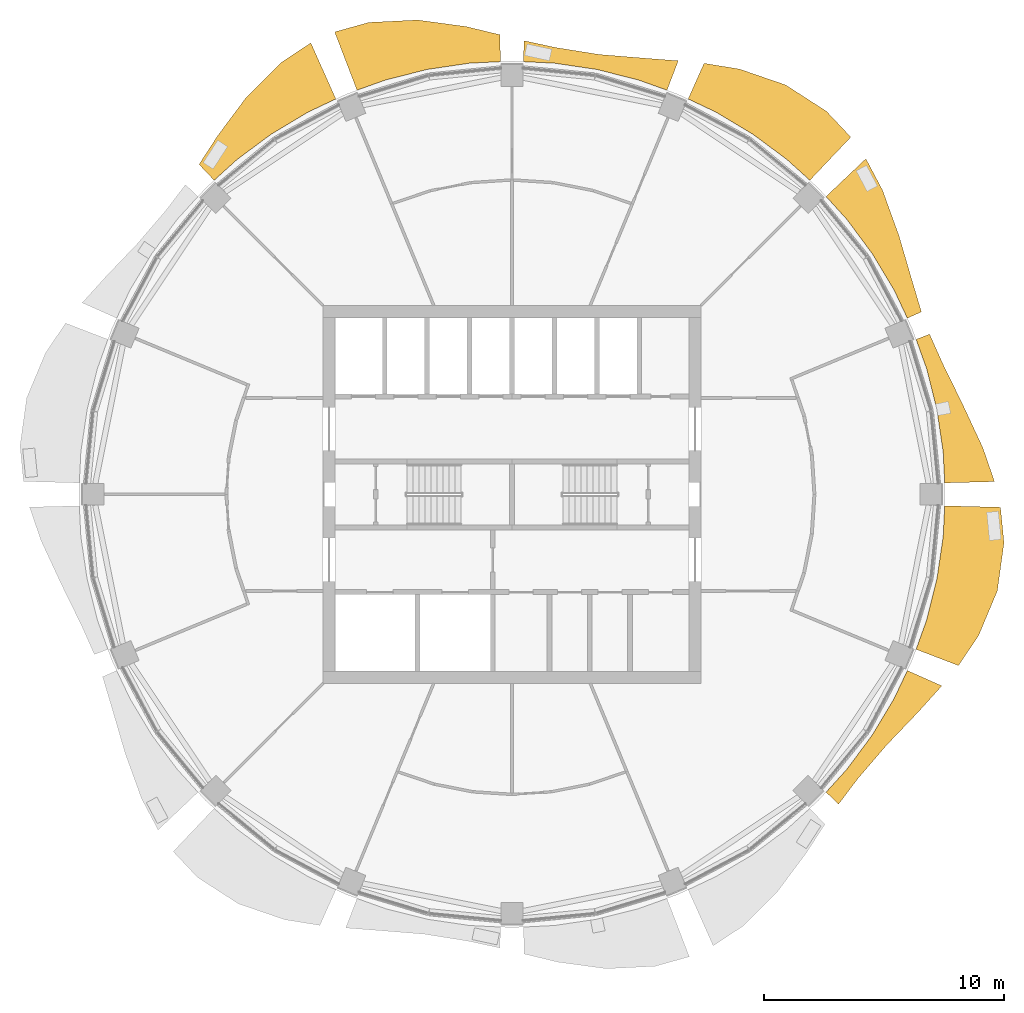
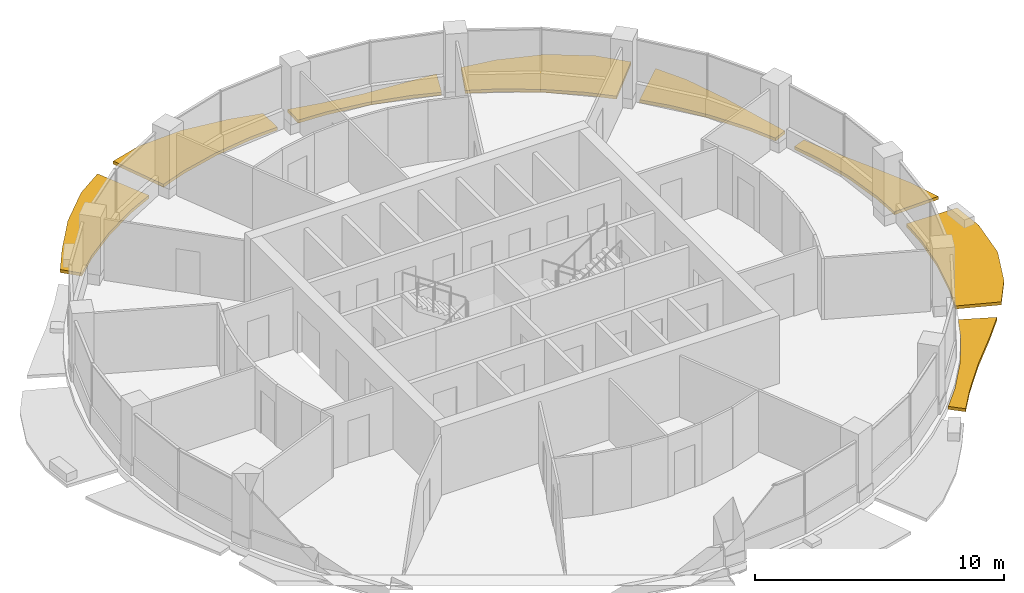
# One storey, part 14 of 15: 8 shading devices.
"""IFC4 building model written with IfcOpenShell, lengths in metres."""

from ifc_helpers import new_model, si_unit, direction, frame, origin, place, context, subcontext, project, spatial, polyline, outline, extrude, material, type_object, element, save


model = new_model("IFC4")

# Units and contexts
model_context = context("Model", 3, precision=1e-05, world=origin(), true_north=direction((0.0, 1.0)))
body_context = subcontext(model_context, "Body", "Model", "MODEL_VIEW")
ifc_project = project(units=[si_unit("LENGTHUNIT", "METRE"), si_unit("AREAUNIT", "SQUARE_METRE"), si_unit("VOLUMEUNIT", "CUBIC_METRE"), si_unit("PLANEANGLEUNIT", "RADIAN"), si_unit("MASSUNIT", "GRAM", prefix="KILO")], contexts=[model_context])

# Site, building, storey
site_placement = place(None, origin())
site = spatial("IfcSite", under=ifc_project, at=site_placement, CompositionType="ELEMENT")
building_placement = place(site_placement, origin())
building = spatial("IfcBuilding", under=site, at=building_placement, Name="Polderwave Tower", CompositionType="ELEMENT")
storey_placement = place(building_placement, frame((0.0, 0.0, 187.64990234375)))
storey = spatial("IfcBuildingStorey", under=building, at=storey_placement, Name="L50", CompositionType="ELEMENT", Elevation=187.64990234375)

# Shading devices
ifc_material = material(Name="Terracotta", Category="masonry")
shading_device_type = type_object("IfcShadingDeviceType", Name="Terracotta sunshade band", PredefinedType="USERDEFINED", material=ifc_material)
shading_device_1_placement = place(storey_placement, frame((0.0, 0.0, -0.349853515625)))
element("IfcShadingDevice", 1, at=shading_device_1_placement, inside=storey, type_object=shading_device_type, Name="Sunshade band L50 1", ObjectType="SUNSHADE", PredefinedType="USERDEFINED", context=body_context, shape_type="SweptSolid", body=[
    extrude(outline(polyline([(18.026611328125, 0.477294921875), (17.963134765625, 1.769287109375), (17.703125, 3.521484375), (17.272705078125, 5.239501953125), (16.8369140625, 6.45751953125), (17.3974609375, 6.672607421875), (17.945556640625, 5.44384765625), (18.781982421875, 3.736083984375), (19.62060546875, 1.9326171875), (20.1015625, 0.531982421875), (18.026611328125, 0.477294921875)])), origin(), (0.0, 0.0, 1.0), 0.14990234375),
])
shading_device_2_placement = place(storey_placement, frame((0.0, 0.0, -0.349853515625)))
element("IfcShadingDevice", 2, at=shading_device_2_placement, inside=storey, type_object=shading_device_type, Name="Sunshade band L50 2", ObjectType="SUNSHADE", PredefinedType="USERDEFINED", context=body_context, shape_type="SweptSolid", body=[
    extrude(outline(polyline([(16.4716796875, 7.33935546875), (15.918701171875, 8.5087890625), (15.008056640625, 10.028076171875), (13.952880859375, 11.45068359375), (13.083984375, 12.4091796875), (14.743408203125, 13.983154296875), (15.43798828125, 12.669677734375), (16.123046875, 10.773193359375), (16.666748046875, 8.908447265625), (17.057861328125, 7.6005859375), (16.4716796875, 7.33935546875)])), origin(), (0.0, 0.0, 1.0), 0.14990234375),
])
shading_device_3_placement = place(storey_placement, frame((0.0, 0.0, -0.349853515625)))
element("IfcShadingDevice", 3, at=shading_device_3_placement, inside=storey, type_object=shading_device_type, Name="Sunshade band L50 3", ObjectType="SUNSHADE", PredefinedType="USERDEFINED", context=body_context, shape_type="SweptSolid", body=[
    extrude(outline(polyline([(12.4091796875, 13.083984375), (11.45068359375, 13.952880859375), (10.028076171875, 15.008056640625), (8.5087890625, 15.918701171875), (7.33935546875, 16.4716796875), (8.001953125, 17.958740234375), (9.471435546875, 17.719970703125), (11.398193359375, 17.05859375), (13.098876953125, 15.9609375), (14.115478515625, 14.88330078125), (12.4091796875, 13.083984375)])), origin(), (0.0, 0.0, 1.0), 0.14990234375),
])
shading_device_4_placement = place(storey_placement, frame((0.0, 0.0, -0.349853515625)))
element("IfcShadingDevice", 4, at=shading_device_4_placement, inside=storey, type_object=shading_device_type, Name="Sunshade band L50 4", ObjectType="SUNSHADE", PredefinedType="USERDEFINED", context=body_context, shape_type="SweptSolid", body=[
    extrude(outline(polyline([(6.45751953125, 16.8369140625), (5.239501953125, 17.272705078125), (3.521484375, 17.703125), (1.769287109375, 17.963134765625), (0.477294921875, 18.026611328125), (0.500244140625, 18.899658203125), (1.833251953125, 18.613037109375), (3.64501953125, 18.3251953125), (5.5126953125, 18.173095703125), (6.92822265625, 18.064208984375), (6.45751953125, 16.8369140625)])), origin(), (0.0, 0.0, 1.0), 0.14990234375),
])
shading_device_5_placement = place(storey_placement, frame((0.0, 0.0, -0.349853515625)))
element("IfcShadingDevice", 5, at=shading_device_5_placement, inside=storey, type_object=shading_device_type, Name="Sunshade band L50 5", ObjectType="SUNSHADE", PredefinedType="USERDEFINED", context=body_context, shape_type="SweptSolid", body=[
    extrude(outline(polyline([(-0.477294921875, 18.026611328125), (-1.769287109375, 17.963134765625), (-3.521484375, 17.703125), (-5.239501953125, 17.272705078125), (-6.45751953125, 16.8369140625), (-7.388427734375, 19.26416015625), (-5.96435546875, 19.662109375), (-3.93115234375, 19.7626953125), (-1.919677734375, 19.490234375), (-0.5068359375, 19.150390625), (-0.477294921875, 18.026611328125)])), origin(), (0.0, 0.0, 1.0), 0.14990234375),
])
shading_device_6_placement = place(storey_placement, frame((0.0, 0.0, -0.349853515625)))
element("IfcShadingDevice", 6, at=shading_device_6_placement, inside=storey, type_object=shading_device_type, Name="Sunshade band L50 6", ObjectType="SUNSHADE", PredefinedType="USERDEFINED", context=body_context, shape_type="SweptSolid", body=[
    extrude(outline(polyline([(-7.33935546875, 16.4716796875), (-8.5087890625, 15.918701171875), (-10.028076171875, 15.008056640625), (-11.45068359375, 13.952880859375), (-12.4091796875, 13.083984375), (-13.03759765625, 13.74658203125), (-12.261962890625, 14.941162109375), (-11.060791015625, 16.5537109375), (-9.617431640625, 17.992919921875), (-8.380615234375, 18.80859375), (-7.33935546875, 16.4716796875)])), origin(), (0.0, 0.0, 1.0), 0.14990234375),
])
shading_device_7_placement = place(storey_placement, frame((0.0, 0.0, -0.349853515625)))
element("IfcShadingDevice", 7, at=shading_device_7_placement, inside=storey, type_object=shading_device_type, Name="Sunshade band L50 15", ObjectType="SUNSHADE", PredefinedType="USERDEFINED", context=body_context, shape_type="SweptSolid", body=[
    extrude(outline(polyline([(13.083984375, -12.4091796875), (13.952880859375, -11.45068359375), (15.008056640625, -10.028076171875), (15.918701171875, -8.5087890625), (16.4716796875, -7.33935546875), (17.90771484375, -7.97900390625), (16.939697265625, -9.054443359375), (15.618408203125, -10.435791015625), (14.418212890625, -11.832763671875), (13.606689453125, -12.905029296875), (13.083984375, -12.4091796875)])), origin(), (0.0, 0.0, 1.0), 0.14990234375),
])
shading_device_8_placement = place(storey_placement, frame((0.0, 0.0, -0.349853515625)))
element("IfcShadingDevice", 8, at=shading_device_8_placement, inside=storey, type_object=shading_device_type, Name="Sunshade band L50 16", ObjectType="SUNSHADE", PredefinedType="USERDEFINED", context=body_context, shape_type="SweptSolid", body=[
    extrude(outline(polyline([(16.8369140625, -6.45751953125), (17.272705078125, -5.239501953125), (17.703125, -3.521484375), (17.963134765625, -1.769287109375), (18.026611328125, -0.477294921875), (20.352294921875, -0.538818359375), (20.497802734375, -2.018798828125), (20.2197265625, -4.02197265625), (19.434814453125, -5.8955078125), (18.597412109375, -7.1328125), (16.8369140625, -6.45751953125)])), origin(), (0.0, 0.0, 1.0), 0.14990234375),
])

save(model, "model.ifc")
